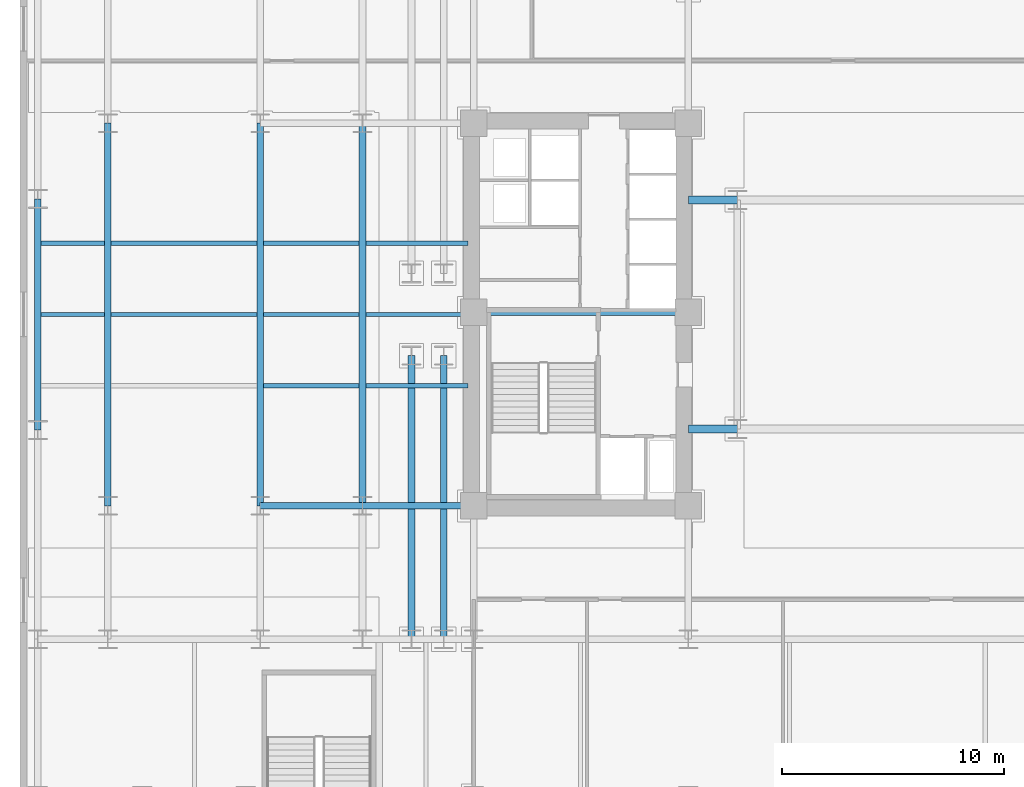
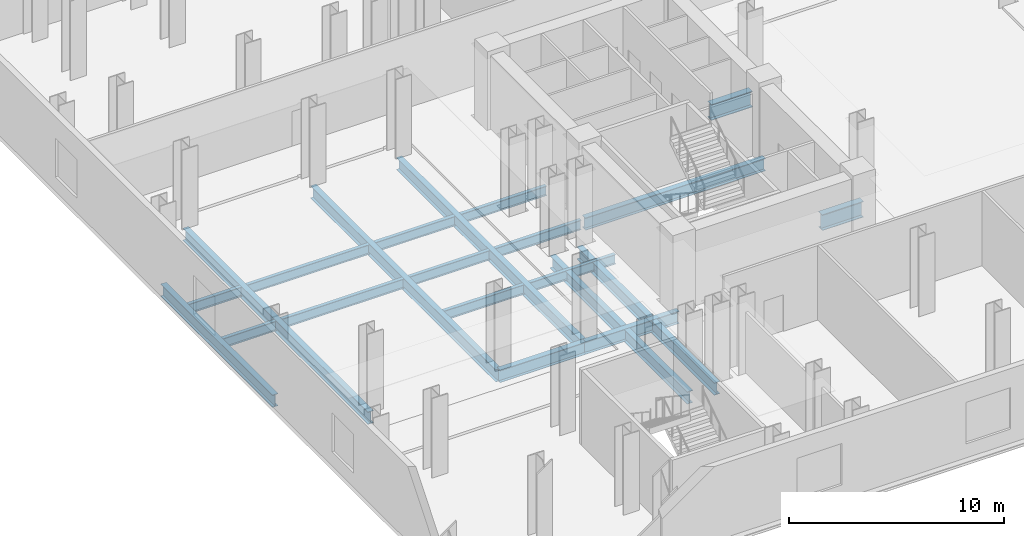
# One storey, part 2 of 15: 21 beams.
"""IFC4 building model written with IfcOpenShell, lengths in metres."""

from ifc_helpers import new_model, si_unit, direction, frame, origin, origin_2d, place, context, subcontext, project, spatial, i_section, extrude, material, material_profile, profile_set, type_object, element, save


model = new_model("IFC4")

# Units and contexts
model_context = context("Model", 3, precision=1e-05, world=origin(), true_north=direction((0.0, 1.0)))
body_context = subcontext(model_context, "Body", "Model", "MODEL_VIEW")
ifc_project = project(units=[si_unit("LENGTHUNIT", "METRE"), si_unit("AREAUNIT", "SQUARE_METRE"), si_unit("VOLUMEUNIT", "CUBIC_METRE"), si_unit("PLANEANGLEUNIT", "RADIAN"), si_unit("MASSUNIT", "GRAM", prefix="KILO")], contexts=[model_context])

# Site, building, storey
site_placement = place(None, origin())
site = spatial("IfcSite", under=ifc_project, at=site_placement, CompositionType="ELEMENT")
building_placement = place(site_placement, origin())
building = spatial("IfcBuilding", under=site, at=building_placement, Name="Velakula Bourse", CompositionType="ELEMENT")
storey_placement = place(building_placement, frame((0.0, 0.0, 14.10009765625)))
storey = spatial("IfcBuildingStorey", under=building, at=storey_placement, Name="L03", CompositionType="ELEMENT", Elevation=14.10009765625)

# Beams
ifc_material = material(Name="Steel IS 2062 Grade 350 (E350)", Category="steel")
ifc_material_profile_1 = material_profile(ifc_material, i_section(OverallWidth=0.35009765625, OverallDepth=0.89990234375, WebThickness=0.02001953125, FlangeThickness=0.031982421875, at=origin_2d()), Name="Steel IS 2062 Grade 350 (E350)")
ifc_profile_set_1 = profile_set([ifc_material_profile_1], Name="Steel IS 2062 Grade 350 (E350)")
beam_type_1 = type_object("IfcBeamType", Name="BM-LNK-900", PredefinedType="BEAM", material=ifc_profile_set_1)
for number, where, z_axis, x_axis, name in (
    (1, (-8.949951171875, -5.14990234375, -0.7001953125), (1.0, 0.0, 0.0), (0.0, 1.0, 0.0), "L03 Primary Backbone Girder LNK-S1"),
    (2, (-8.949951171875, 5.14990234375, -0.7001953125), (1.0, 0.0, 0.0), (0.0, 1.0, 0.0), "L03 Primary Backbone Girder LNK-N1"),
):
    element("IfcBeam", number, at=place(storey_placement, frame(where, z_axis=z_axis, x_axis=x_axis)), inside=storey, type_object=beam_type_1, Name=name, PredefinedType="BEAM", context=body_context, shape_type="SweptSolid", body=[
        extrude(i_section(OverallWidth=0.35009765625, OverallDepth=0.89990234375, WebThickness=0.02001953125, FlangeThickness=0.031982421875, at=origin_2d()), origin(), (0.0, 0.0, 1.0), 2.199951171875),
    ])
ifc_material_profile_2 = material_profile(ifc_material, i_section(OverallWidth=0.300048828125, OverallDepth=0.699951171875, WebThickness=0.01611328125, FlangeThickness=0.02490234375, at=origin_2d()), Name="Steel IS 2062 Grade 350 (E350)")
ifc_profile_set_2 = profile_set([ifc_material_profile_2], Name="Steel IS 2062 Grade 350 (E350)")
beam_type_2 = type_object("IfcBeamType", Name="BM-POD-700", PredefinedType="BEAM", material=ifc_profile_set_2)
beam_1_placement = place(storey_placement, frame((-18.60009765625, 0.10009765625, -0.60009765625), z_axis=(1.0, 0.0, 0.0), x_axis=(0.0, 1.0, 0.0)))
element("IfcBeam", 3, at=beam_1_placement, inside=storey, type_object=beam_type_2, Name="L03 Primary Backbone Girder CRW-M", PredefinedType="BEAM", context=body_context, shape_type="SweptSolid", body=[
    extrude(i_section(OverallWidth=0.300048828125, OverallDepth=0.699951171875, WebThickness=0.01611328125, FlangeThickness=0.02490234375, at=origin_2d()), origin(), (0.0, 0.0, 1.0), 9.650146484375),
])
for number, where, z_axis, x_axis, name in (
    (4, (-21.39990234375, -14.60009765625, -0.60009765625), (0.0, 1.0, 0.0), (-1.0, 0.0, 0.0), "L03 Fulcrum Grid Girder FLC-PSW1"),
    (5, (-19.949951171875, -14.60009765625, -0.60009765625), (0.0, 1.0, 0.0), (-1.0, 0.0, 0.0), "L03 Fulcrum Grid Girder FLC-PSW2"),
):
    element("IfcBeam", number, at=place(storey_placement, frame(where, z_axis=z_axis, x_axis=x_axis)), inside=storey, type_object=beam_type_2, Name=name, PredefinedType="BEAM", context=body_context, shape_type="SweptSolid", body=[
        extrude(i_section(OverallWidth=0.300048828125, OverallDepth=0.699951171875, WebThickness=0.01611328125, FlangeThickness=0.02490234375, at=origin_2d()), origin(), (0.0, 0.0, 1.0), 12.75),
    ])
beam_2_placement = place(storey_placement, frame((-23.60009765625, -8.60009765625, -0.60009765625), z_axis=(1.0, 0.0, 0.0), x_axis=(0.0, 1.0, 0.0)))
element("IfcBeam", 6, at=beam_2_placement, inside=storey, type_object=beam_type_2, Name="L03 Fulcrum Grid Girder MWG-WS2", PredefinedType="BEAM", context=body_context, shape_type="SweptSolid", body=[
    extrude(i_section(OverallWidth=0.300048828125, OverallDepth=0.699951171875, WebThickness=0.01611328125, FlangeThickness=0.02490234375, at=origin_2d()), origin(), (0.0, 0.0, 1.0), 5.0),
])
beam_3_placement = place(storey_placement, frame((-23.60009765625, -8.60009765625, -0.60009765625), z_axis=(0.0, 1.0, 0.0), x_axis=(-1.0, 0.0, 0.0)))
element("IfcBeam", 7, at=beam_3_placement, inside=storey, type_object=beam_type_2, Name="L03 Fulcrum Grid Girder MWG-WNS2", PredefinedType="BEAM", context=body_context, shape_type="SweptSolid", body=[
    extrude(i_section(OverallWidth=0.300048828125, OverallDepth=0.699951171875, WebThickness=0.01611328125, FlangeThickness=0.02490234375, at=origin_2d()), origin(), (0.0, 0.0, 1.0), 17.2001953125),
])
beam_4_placement = place(storey_placement, frame((-28.199951171875, -8.60009765625, -0.60009765625), z_axis=(1.0, 0.0, 0.0), x_axis=(0.0, 1.0, 0.0)))
element("IfcBeam", 8, at=beam_4_placement, inside=storey, type_object=beam_type_2, Name="L03 Fulcrum Grid Girder WNG-WS2", PredefinedType="BEAM", context=body_context, shape_type="SweptSolid", body=[
    extrude(i_section(OverallWidth=0.300048828125, OverallDepth=0.699951171875, WebThickness=0.01611328125, FlangeThickness=0.02490234375, at=origin_2d()), origin(), (0.0, 0.0, 1.0), 4.599853515625),
])
beam_5_placement = place(storey_placement, frame((-28.199951171875, -8.60009765625, -0.60009765625), z_axis=(0.0, 1.0, 0.0), x_axis=(-1.0, 0.0, 0.0)))
element("IfcBeam", 9, at=beam_5_placement, inside=storey, type_object=beam_type_2, Name="L03 Fulcrum Grid Girder WNG-WNS2", PredefinedType="BEAM", context=body_context, shape_type="SweptSolid", body=[
    extrude(i_section(OverallWidth=0.300048828125, OverallDepth=0.699951171875, WebThickness=0.01611328125, FlangeThickness=0.02490234375, at=origin_2d()), origin(), (0.0, 0.0, 1.0), 17.2001953125),
])
beam_6_placement = place(storey_placement, frame((-38.199951171875, -5.199951171875, -0.60009765625), z_axis=(0.0, 1.0, 0.0), x_axis=(-1.0, 0.0, 0.0)))
element("IfcBeam", 10, at=beam_6_placement, inside=storey, type_object=beam_type_2, Name="L03 Podium N-S Girder 68", PredefinedType="BEAM", context=body_context, shape_type="SweptSolid", body=[
    extrude(i_section(OverallWidth=0.300048828125, OverallDepth=0.699951171875, WebThickness=0.01611328125, FlangeThickness=0.02490234375, at=origin_2d()), origin(), (0.0, 0.0, 1.0), 10.39990234375),
])
beam_7_placement = place(storey_placement, frame((-35.050048828125, -8.60009765625, -0.60009765625), z_axis=(0.0, 1.0, 0.0), x_axis=(-1.0, 0.0, 0.0)))
element("IfcBeam", 11, at=beam_7_placement, inside=storey, type_object=beam_type_2, Name="L03 Podium N-S Girder 73", PredefinedType="BEAM", context=body_context, shape_type="SweptSolid", body=[
    extrude(i_section(OverallWidth=0.300048828125, OverallDepth=0.699951171875, WebThickness=0.01611328125, FlangeThickness=0.02490234375, at=origin_2d()), origin(), (0.0, 0.0, 1.0), 17.2001953125),
])
ifc_material_profile_3 = material_profile(ifc_material, i_section(OverallWidth=0.18994140625, OverallDepth=0.550048828125, WebThickness=0.01123046875, FlangeThickness=0.019287109375, at=origin_2d()), Name="Steel IS 2062 Grade 350 (E350)")
ifc_profile_set_3 = profile_set([ifc_material_profile_3], Name="Steel IS 2062 Grade 350 (E350)")
beam_type_3 = type_object("IfcBeamType", Name="JST-POD-550", PredefinedType="JOIST", material=ifc_profile_set_3)
beam_8_placement = place(storey_placement, frame((-28.050048828125, -3.199951171875, -0.525146484375), z_axis=(1.0, 0.0, 0.0), x_axis=(0.0, 1.0, 0.0)))
element("IfcBeam", 12, at=beam_8_placement, inside=storey, type_object=beam_type_3, Name="L03 Station Wing Floor Joist 35", PredefinedType="JOIST", context=body_context, shape_type="SweptSolid", body=[
    extrude(i_section(OverallWidth=0.18994140625, OverallDepth=0.550048828125, WebThickness=0.01123046875, FlangeThickness=0.019287109375, at=origin_2d()), origin(), (0.0, 0.0, 1.0), 4.300048828125),
])
beam_9_placement = place(storey_placement, frame((-23.449951171875, -3.199951171875, -0.525146484375), z_axis=(1.0, 0.0, 0.0), x_axis=(0.0, 1.0, 0.0)))
element("IfcBeam", 13, at=beam_9_placement, inside=storey, type_object=beam_type_3, Name="L03 Station Wing Floor Joist 36", PredefinedType="JOIST", context=body_context, shape_type="SweptSolid", body=[
    extrude(i_section(OverallWidth=0.18994140625, OverallDepth=0.550048828125, WebThickness=0.01123046875, FlangeThickness=0.019287109375, at=origin_2d()), origin(), (0.0, 0.0, 1.0), 4.599853515625),
])
beam_10_placement = place(storey_placement, frame((-38.050048828125, 0.0, -0.525146484375), z_axis=(1.0, 0.0, 0.0), x_axis=(0.0, 1.0, 0.0)))
element("IfcBeam", 14, at=beam_10_placement, inside=storey, type_object=beam_type_3, Name="L03 Station Wing Floor Joist 41", PredefinedType="JOIST", context=body_context, shape_type="SweptSolid", body=[
    extrude(i_section(OverallWidth=0.18994140625, OverallDepth=0.550048828125, WebThickness=0.01123046875, FlangeThickness=0.019287109375, at=origin_2d()), origin(), (0.0, 0.0, 1.0), 2.85009765625),
])
beam_11_placement = place(storey_placement, frame((-34.89990234375, 0.0, -0.525146484375), z_axis=(1.0, 0.0, 0.0), x_axis=(0.0, 1.0, 0.0)))
element("IfcBeam", 15, at=beam_11_placement, inside=storey, type_object=beam_type_3, Name="L03 Station Wing Floor Joist 42", PredefinedType="JOIST", context=body_context, shape_type="SweptSolid", body=[
    extrude(i_section(OverallWidth=0.18994140625, OverallDepth=0.550048828125, WebThickness=0.01123046875, FlangeThickness=0.019287109375, at=origin_2d()), origin(), (0.0, 0.0, 1.0), 6.5498046875),
])
beam_12_placement = place(storey_placement, frame((-28.050048828125, 0.0, -0.525146484375), z_axis=(1.0, 0.0, 0.0), x_axis=(0.0, 1.0, 0.0)))
element("IfcBeam", 16, at=beam_12_placement, inside=storey, type_object=beam_type_3, Name="L03 Station Wing Floor Joist 43", PredefinedType="JOIST", context=body_context, shape_type="SweptSolid", body=[
    extrude(i_section(OverallWidth=0.18994140625, OverallDepth=0.550048828125, WebThickness=0.01123046875, FlangeThickness=0.019287109375, at=origin_2d()), origin(), (0.0, 0.0, 1.0), 4.300048828125),
])
beam_13_placement = place(storey_placement, frame((-23.449951171875, 0.0, -0.525146484375), z_axis=(1.0, 0.0, 0.0), x_axis=(0.0, 1.0, 0.0)))
element("IfcBeam", 17, at=beam_13_placement, inside=storey, type_object=beam_type_3, Name="L03 Station Wing Floor Joist 44", PredefinedType="JOIST", context=body_context, shape_type="SweptSolid", body=[
    extrude(i_section(OverallWidth=0.18994140625, OverallDepth=0.550048828125, WebThickness=0.01123046875, FlangeThickness=0.019287109375, at=origin_2d()), origin(), (0.0, 0.0, 1.0), 4.599853515625),
])
beam_14_placement = place(storey_placement, frame((-38.050048828125, 3.199951171875, -0.525146484375), z_axis=(1.0, 0.0, 0.0), x_axis=(0.0, 1.0, 0.0)))
element("IfcBeam", 18, at=beam_14_placement, inside=storey, type_object=beam_type_3, Name="L03 Station Wing Floor Joist 49", PredefinedType="JOIST", context=body_context, shape_type="SweptSolid", body=[
    extrude(i_section(OverallWidth=0.18994140625, OverallDepth=0.550048828125, WebThickness=0.01123046875, FlangeThickness=0.019287109375, at=origin_2d()), origin(), (0.0, 0.0, 1.0), 2.85009765625),
])
beam_15_placement = place(storey_placement, frame((-34.89990234375, 3.199951171875, -0.525146484375), z_axis=(1.0, 0.0, 0.0), x_axis=(0.0, 1.0, 0.0)))
element("IfcBeam", 19, at=beam_15_placement, inside=storey, type_object=beam_type_3, Name="L03 Station Wing Floor Joist 50", PredefinedType="JOIST", context=body_context, shape_type="SweptSolid", body=[
    extrude(i_section(OverallWidth=0.18994140625, OverallDepth=0.550048828125, WebThickness=0.01123046875, FlangeThickness=0.019287109375, at=origin_2d()), origin(), (0.0, 0.0, 1.0), 6.5498046875),
])
beam_16_placement = place(storey_placement, frame((-28.050048828125, 3.199951171875, -0.525146484375), z_axis=(1.0, 0.0, 0.0), x_axis=(0.0, 1.0, 0.0)))
element("IfcBeam", 20, at=beam_16_placement, inside=storey, type_object=beam_type_3, Name="L03 Station Wing Floor Joist 51", PredefinedType="JOIST", context=body_context, shape_type="SweptSolid", body=[
    extrude(i_section(OverallWidth=0.18994140625, OverallDepth=0.550048828125, WebThickness=0.01123046875, FlangeThickness=0.019287109375, at=origin_2d()), origin(), (0.0, 0.0, 1.0), 4.300048828125),
])
beam_17_placement = place(storey_placement, frame((-23.449951171875, 3.199951171875, -0.525146484375), z_axis=(1.0, 0.0, 0.0), x_axis=(0.0, 1.0, 0.0)))
element("IfcBeam", 21, at=beam_17_placement, inside=storey, type_object=beam_type_3, Name="L03 Station Wing Floor Joist 52", PredefinedType="JOIST", context=body_context, shape_type="SweptSolid", body=[
    extrude(i_section(OverallWidth=0.18994140625, OverallDepth=0.550048828125, WebThickness=0.01123046875, FlangeThickness=0.019287109375, at=origin_2d()), origin(), (0.0, 0.0, 1.0), 4.599853515625),
])

save(model, "model.ifc")
